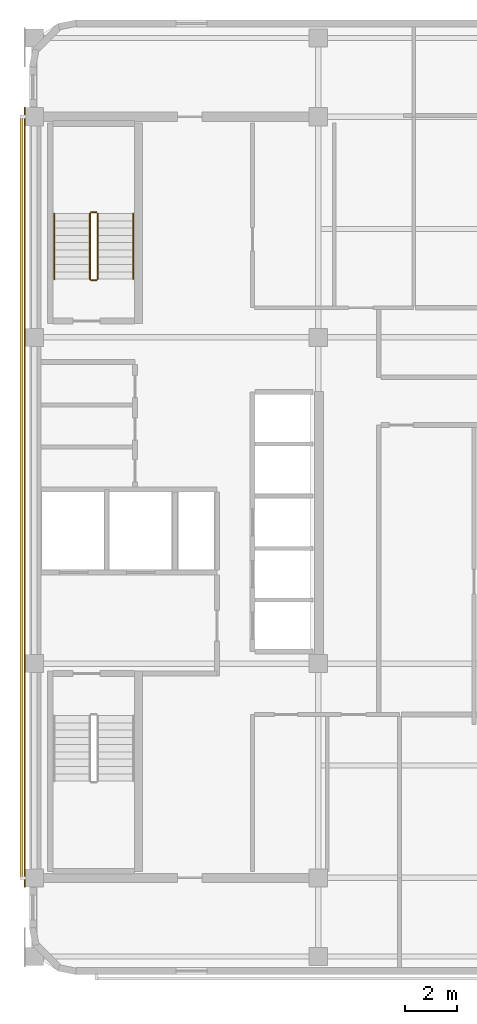
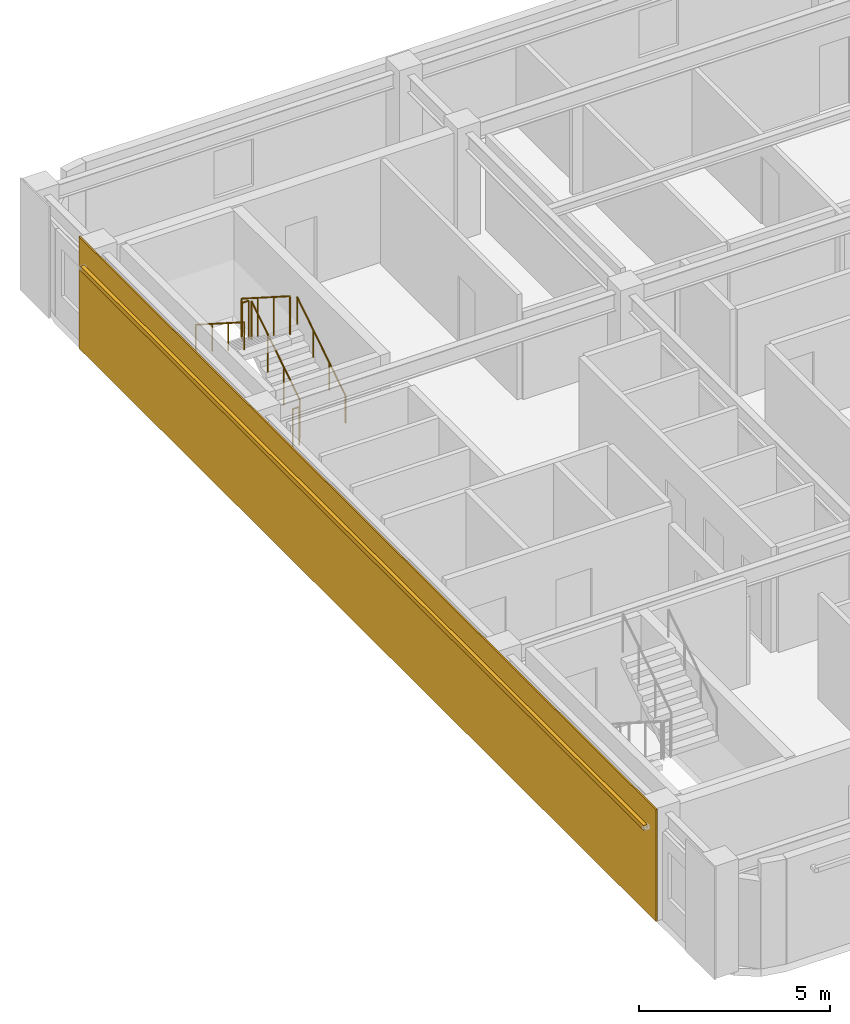
# One storey, part 9 of 10: 6 railings, 1 covering, 1 shading device.
"""IFC4 building model written with IfcOpenShell, lengths in metres."""

from ifc_helpers import new_model, si_unit, direction, frame, origin, origin_2d, place, context, subcontext, project, spatial, rectangle, circle, extrude, material, layer, layer_set, material_profile, profile_set, type_object, element, save


model = new_model("IFC4")

# Units and contexts
model_context = context("Model", 3, precision=1e-05, world=origin(), true_north=direction((0.0, 1.0)))
body_context = subcontext(model_context, "Body", "Model", "MODEL_VIEW")
ifc_project = project(units=[si_unit("LENGTHUNIT", "METRE"), si_unit("AREAUNIT", "SQUARE_METRE"), si_unit("VOLUMEUNIT", "CUBIC_METRE"), si_unit("PLANEANGLEUNIT", "RADIAN"), si_unit("MASSUNIT", "GRAM", prefix="KILO")], contexts=[model_context])

# Site, building, storey
site_placement = place(None, origin())
site = spatial("IfcSite", under=ifc_project, at=site_placement, CompositionType="ELEMENT")
building_placement = place(site_placement, origin())
building = spatial("IfcBuilding", under=site, at=building_placement, Name="Ochreholt Gables", CompositionType="ELEMENT")
storey_placement = place(building_placement, frame((0.0, 0.0, 223.800048828125)))
storey = spatial("IfcBuildingStorey", under=building, at=storey_placement, Name="L58", CompositionType="ELEMENT", Elevation=223.800048828125)

# Covering
ifc_material_1 = material(Name="Glazed Ochre Terracotta Rainscreen Cladding", Category="masonry")
ifc_layer = layer(ifc_material_1, 0.044921875, Name="Glazed Ochre Terracotta Rainscreen Cladding")
ifc_layer_set = layer_set([ifc_layer], Name="Glazed Ochre Terracotta Rainscreen Cladding")
covering_type = type_object("IfcCoveringType", Name="COV-CLAD-TC", PredefinedType="CLADDING", material=ifc_layer_set)
covering_placement = place(storey_placement, frame((23.827880859375, 24.0, 0.010009765625), z_axis=(0.0, 0.0, 1.0), x_axis=(0.0, 1.0, 0.0)))
element("IfcCovering", 1, at=covering_placement, inside=storey, type_object=covering_type, Name="L58 West Core Terracotta Rainscreen Cladding", PredefinedType="CLADDING", context=body_context, shape_type="SweptSolid", body=[
    extrude(rectangle(XDim=30.239990234375, YDim=0.044921875, at=origin_2d()), origin(), (0.0, 0.0, 1.0), 3.580078125),
])

# Railings
ifc_material_2 = material(Name="Painted Steel Stair Guardrail", Category="steel")
railing_type_1 = type_object("IfcRailingType", Name="RL-ST-GUARD", PredefinedType="GUARDRAIL", material=ifc_material_2)
railing_1_placement = place(storey_placement, frame((26.64990234375, 32.4599609375, 0.179931640625)))
element("IfcRailing", 2, at=railing_1_placement, inside=storey, type_object=railing_type_1, Name="L58 ST-2 stair guard 1", PredefinedType="GUARDRAIL", context=body_context, shape_type="SweptSolid", body=[
    extrude(circle(Radius=0.02392578125, at=origin_2d()), frame((0.0, 0.0, 1.22607421875), z_axis=(0.0, 0.842912820907, 0.538050161556), x_axis=(-1.0, 0.0, 0.0)), (0.0, 0.0, 1.0), 3.010986328125),
    extrude(circle(Radius=0.02099609375, at=origin_2d()), origin(), (0.0, 0.0, 1.0), 1.201904296875),
    extrude(circle(Radius=0.02099609375, at=origin_2d()), frame((0.0, 0.845947265625, 0.5400390625)), (0.0, 0.0, 1.0), 1.201904296875),
    extrude(circle(Radius=0.02099609375, at=origin_2d()), frame((0.0, 1.692138671875, 1.080078125)), (0.0, 0.0, 1.0), 1.201904296875),
    extrude(circle(Radius=0.02099609375, at=origin_2d()), frame((0.0, 2.5380859375, 1.6201171875)), (0.0, 0.0, 1.0), 1.201904296875),
])
railing_2_placement = place(storey_placement, frame((26.60009765625, 35.048095703125, 1.800048828125)))
element("IfcRailing", 3, at=railing_2_placement, inside=storey, type_object=railing_type_1, Name="L58 ST-2 stair guard 2", PredefinedType="GUARDRAIL", context=body_context, shape_type="SweptSolid", body=[
    extrude(circle(Radius=0.02392578125, at=origin_2d()), frame((0.0, 0.0, 1.22607421875), z_axis=(-1.0, 0.0, 0.0), x_axis=(0.0, -1.0, 0.0)), (0.0, 0.0, 1.0), 0.2001953125),
    extrude(circle(Radius=0.02099609375, at=origin_2d()), origin(), (0.0, 0.0, 1.0), 1.201904296875),
    extrude(circle(Radius=0.02099609375, at=origin_2d()), frame((-0.2001953125, 0.0, 0.0)), (0.0, 0.0, 1.0), 1.201904296875),
])
railing_3_placement = place(storey_placement, frame((26.35009765625, 34.998046875, 1.97998046875)))
element("IfcRailing", 4, at=railing_3_placement, inside=storey, type_object=railing_type_1, Name="L58 ST-2 stair guard 3", PredefinedType="GUARDRAIL", context=body_context, shape_type="SweptSolid", body=[
    extrude(circle(Radius=0.02392578125, at=origin_2d()), frame((0.0, 0.0, 1.22607421875), z_axis=(0.0, -0.842949592929, 0.537992549931), x_axis=(1.0, 0.0, 0.0)), (0.0, 0.0, 1.0), 3.010986328125),
    extrude(circle(Radius=0.02099609375, at=origin_2d()), origin(), (0.0, 0.0, 1.0), 1.201904296875),
    extrude(circle(Radius=0.02099609375, at=origin_2d()), frame((0.0, -0.845947265625, 0.5400390625)), (0.0, 0.0, 1.0), 1.201904296875),
    extrude(circle(Radius=0.02099609375, at=origin_2d()), frame((0.0, -1.692138671875, 1.079833984375)), (0.0, 0.0, 1.0), 1.201904296875),
    extrude(circle(Radius=0.02099609375, at=origin_2d()), frame((0.0, -2.5380859375, 1.619873046875)), (0.0, 0.0, 1.0), 1.201904296875),
])
railing_4_placement = place(storey_placement, frame((26.60009765625, 32.409912109375, 0.0)))
element("IfcRailing", 5, at=railing_4_placement, inside=storey, type_object=railing_type_1, Name="L58 ST-2 stair guard 4", PredefinedType="GUARDRAIL", context=body_context, shape_type="SweptSolid", body=[
    extrude(circle(Radius=0.02392578125, at=origin_2d()), frame((0.0, 0.0, 1.22607421875), z_axis=(-1.0, 0.0, 0.0), x_axis=(0.0, -1.0, 0.0)), (0.0, 0.0, 1.0), 0.2001953125),
    extrude(circle(Radius=0.02099609375, at=origin_2d()), origin(), (0.0, 0.0, 1.0), 1.201904296875),
    extrude(circle(Radius=0.02099609375, at=origin_2d()), frame((-0.2001953125, 0.0, 0.0)), (0.0, 0.0, 1.0), 1.201904296875),
])
ifc_material_3 = material(Name="Brushed Stainless Steel Wall Handrail", Category="steel")
railing_type_2 = type_object("IfcRailingType", Name="RL-ST-HAND", PredefinedType="HANDRAIL", material=ifc_material_3)
railing_5_placement = place(storey_placement, frame((28.030029296875, 32.4599609375, 0.179931640625)))
element("IfcRailing", 6, at=railing_5_placement, inside=storey, type_object=railing_type_2, Name="L58 ST-2 stair handrail 1", PredefinedType="HANDRAIL", context=body_context, shape_type="SweptSolid", body=[
    extrude(circle(Radius=0.02392578125, at=origin_2d()), frame((0.0, 0.0, 0.8759765625), z_axis=(0.0, 0.842912820907, 0.538050161556), x_axis=(-1.0, 0.0, 0.0)), (0.0, 0.0, 1.0), 3.010986328125),
    extrude(circle(Radius=0.02099609375, at=origin_2d()), origin(), (0.0, 0.0, 1.0), 0.851806640625),
    extrude(circle(Radius=0.02099609375, at=origin_2d()), frame((0.0, 0.845947265625, 0.5400390625)), (0.0, 0.0, 1.0), 0.851806640625),
    extrude(circle(Radius=0.02099609375, at=origin_2d()), frame((0.0, 1.692138671875, 1.080078125)), (0.0, 0.0, 1.0), 0.851806640625),
    extrude(circle(Radius=0.02099609375, at=origin_2d()), frame((0.0, 2.5380859375, 1.6201171875)), (0.0, 0.0, 1.0), 0.851806640625),
])
railing_6_placement = place(storey_placement, frame((24.969970703125, 34.998046875, 1.97998046875)))
element("IfcRailing", 7, at=railing_6_placement, inside=storey, type_object=railing_type_2, Name="L58 ST-2 stair handrail 2", PredefinedType="HANDRAIL", context=body_context, shape_type="SweptSolid", body=[
    extrude(circle(Radius=0.02392578125, at=origin_2d()), frame((0.0, 0.0, 0.8759765625), z_axis=(0.0, -0.842949592929, 0.537992549931), x_axis=(1.0, 0.0, 0.0)), (0.0, 0.0, 1.0), 3.010986328125),
    extrude(circle(Radius=0.02099609375, at=origin_2d()), origin(), (0.0, 0.0, 1.0), 0.851806640625),
    extrude(circle(Radius=0.02099609375, at=origin_2d()), frame((0.0, -0.845947265625, 0.5400390625)), (0.0, 0.0, 1.0), 0.851806640625),
    extrude(circle(Radius=0.02099609375, at=origin_2d()), frame((0.0, -1.692138671875, 1.079833984375)), (0.0, 0.0, 1.0), 0.851806640625),
    extrude(circle(Radius=0.02099609375, at=origin_2d()), frame((0.0, -2.5380859375, 1.619873046875)), (0.0, 0.0, 1.0), 0.851806640625),
])

# Shading device
ifc_material_4 = material(Name="Warm Ochre Glazed Terracotta Baguette", Category="masonry")
ifc_material_profile = material_profile(ifc_material_4, rectangle(XDim=0.110107421875, YDim=0.14990234375, at=origin_2d()), Name="TCBAG110X150")
ifc_profile_set = profile_set([ifc_material_profile], Name="Warm Ochre Glazed Terracotta Baguette")
shading_device_type = type_object("IfcShadingDeviceType", Name="SHD-BAGUETTE", PredefinedType="USERDEFINED", material=ifc_profile_set)
shading_device_placement = place(storey_placement, frame((23.699951171875, 38.75, 2.83984375), z_axis=(0.0, -1.0, 0.0), x_axis=(1.0, 0.0, 0.0)))
element("IfcShadingDevice", 8, at=shading_device_placement, inside=storey, type_object=shading_device_type, Name="L58 Terracotta Baguette Screen W-1", ObjectType="BAGUETTE", PredefinedType="USERDEFINED", context=body_context, shape_type="SweptSolid", body=[
    extrude(rectangle(XDim=0.110107421875, YDim=0.14990234375, at=origin_2d()), origin(), (0.0, 0.0, 1.0), 29.5),
])

save(model, "model.ifc")
